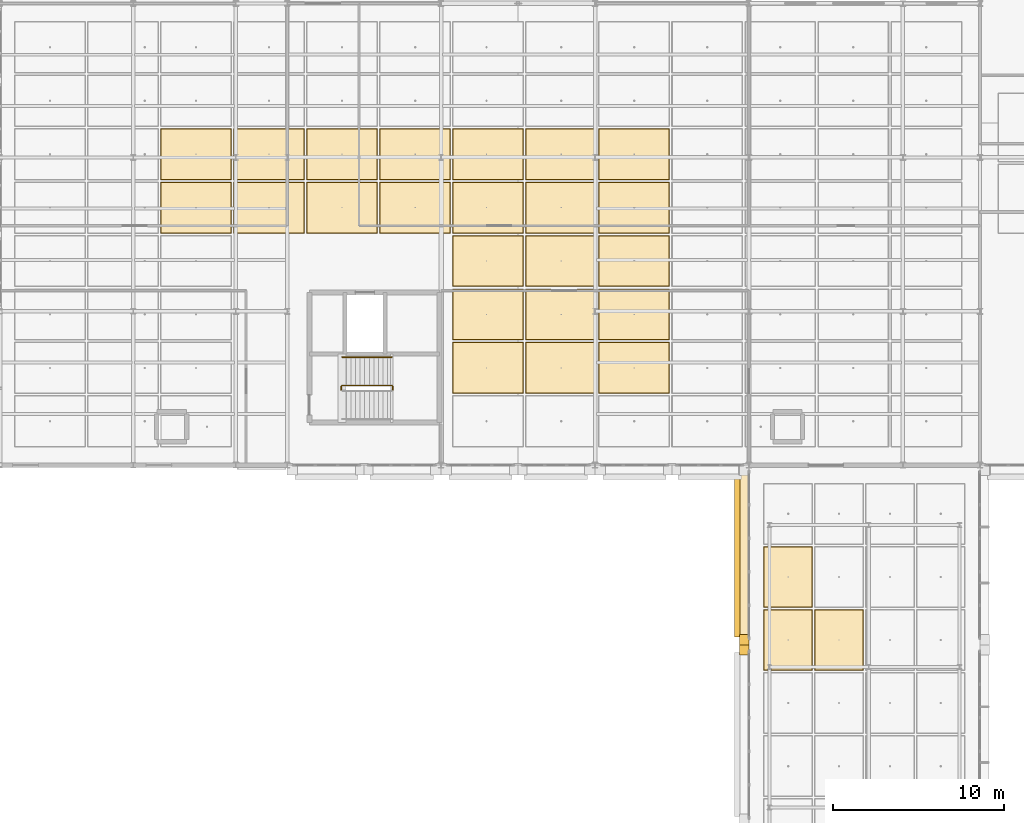
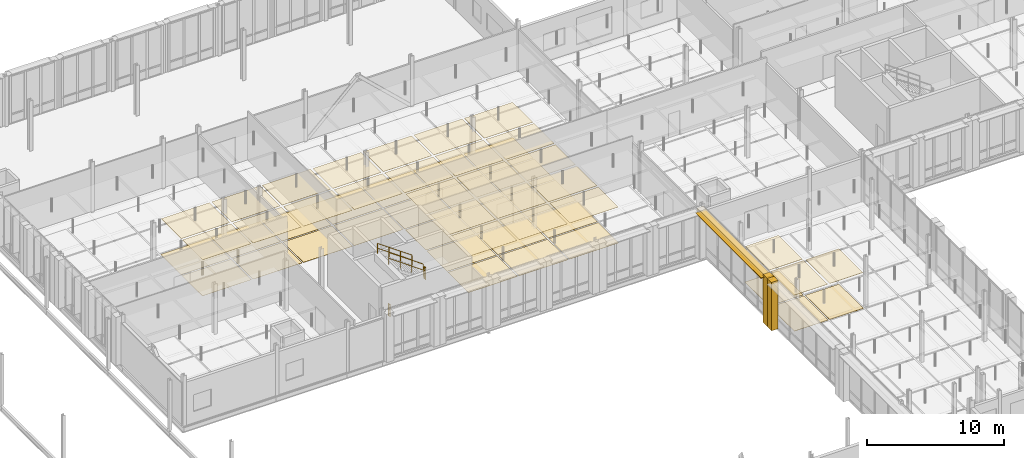
# One storey, part 124 of 130: 55 coverings, 4 railings, 1 shading device.
"""IFC4 building model written with IfcOpenShell, lengths in metres."""

from ifc_helpers import new_model, si_unit, direction, frame, origin, origin_2d, place, context, subcontext, project, spatial, rectangle, circle, extrude, material, layer, layer_set, type_object, element, save


model = new_model("IFC4")

# Units and contexts
model_context = context("Model", 3, precision=1e-05, world=origin(), true_north=direction((0.0, 1.0)))
body_context = subcontext(model_context, "Body", "Model", "MODEL_VIEW")
ifc_project = project(units=[si_unit("LENGTHUNIT", "METRE"), si_unit("AREAUNIT", "SQUARE_METRE"), si_unit("VOLUMEUNIT", "CUBIC_METRE"), si_unit("PLANEANGLEUNIT", "RADIAN"), si_unit("MASSUNIT", "GRAM", prefix="KILO"), si_unit("THERMODYNAMICTEMPERATUREUNIT", "KELVIN"), si_unit("POWERUNIT", "WATT")], contexts=[model_context])

# Site, building, storey
site_placement = place(None, origin())
site = spatial("IfcSite", under=ifc_project, at=site_placement, CompositionType="ELEMENT")
building_placement = place(site_placement, origin())
building = spatial("IfcBuilding", under=site, at=building_placement, Name="Tallowbark Science Centre", CompositionType="ELEMENT")
storey_placement = place(building_placement, frame((0.0, 0.0, 5.39990234375)))
storey = spatial("IfcBuildingStorey", under=building, at=storey_placement, Name="L01", CompositionType="ELEMENT", Elevation=5.39990234375)

# Coverings
ifc_material_1 = material(Name="Cleanable Vinyl-Faced Laboratory Ceiling Tile")
ifc_layer_1 = layer(ifc_material_1, 0.01611328125)
ifc_layer_set_1 = layer_set([ifc_layer_1], Name="Cleanable Vinyl-Faced Laboratory Ceiling Tile")
covering_type_1 = type_object("IfcCoveringType", Name="CLG-LAB-16", PredefinedType="CEILING", material=ifc_layer_set_1)
for number, where, z_axis, x_axis, name in (
    (1, (66.673095703125, 87.0625, 3.192138671875), (0.0, 0.0, 1.0), (1.0, 0.0, 0.0), "Suspended Ceiling L01-615"),
    (2, (66.673095703125, 90.1875, 3.192138671875), (0.0, 0.0, 1.0), (1.0, 0.0, 0.0), "Suspended Ceiling L01-616"),
    (3, (70.9423828125, 87.0625, 3.192138671875), (0.0, 0.0, 1.0), (1.0, 0.0, 0.0), "Suspended Ceiling L01-619"),
    (4, (70.9423828125, 90.1875, 3.192138671875), (0.0, 0.0, 1.0), (1.0, 0.0, 0.0), "Suspended Ceiling L01-620"),
    (5, (75.21142578125, 87.0625, 3.192138671875), (0.0, 0.0, 1.0), (1.0, 0.0, 0.0), "Suspended Ceiling L01-623"),
    (6, (75.21142578125, 90.1875, 3.192138671875), (0.0, 0.0, 1.0), (1.0, 0.0, 0.0), "Suspended Ceiling L01-624"),
    (7, (79.480712890625, 87.0625, 3.192138671875), (0.0, 0.0, 1.0), (1.0, 0.0, 0.0), "Suspended Ceiling L01-627"),
    (8, (79.480712890625, 90.1875, 3.192138671875), (0.0, 0.0, 1.0), (1.0, 0.0, 0.0), "Suspended Ceiling L01-628"),
    (9, (83.75, 77.6875, 3.192138671875), (0.0, 0.0, 1.0), (1.0, 0.0, 0.0), "Suspended Ceiling L01-632"),
    (10, (83.75, 80.8125, 3.192138671875), (0.0, 0.0, 1.0), (1.0, 0.0, 0.0), "Suspended Ceiling L01-633"),
    (11, (83.75, 83.9375, 3.192138671875), (0.0, 0.0, 1.0), (1.0, 0.0, 0.0), "Suspended Ceiling L01-634"),
    (12, (83.75, 87.0625, 3.192138671875), (0.0, 0.0, 1.0), (1.0, 0.0, 0.0), "Suspended Ceiling L01-635"),
    (13, (83.75, 90.1875, 3.192138671875), (0.0, 0.0, 1.0), (1.0, 0.0, 0.0), "Suspended Ceiling L01-636"),
    (14, (88.019287109375, 77.6875, 3.192138671875), (0.0, 0.0, 1.0), (1.0, 0.0, 0.0), "Suspended Ceiling L01-640"),
    (15, (88.019287109375, 80.8125, 3.192138671875), (0.0, 0.0, 1.0), (1.0, 0.0, 0.0), "Suspended Ceiling L01-641"),
    (16, (88.019287109375, 83.9375, 3.192138671875), (0.0, 0.0, 1.0), (1.0, 0.0, 0.0), "Suspended Ceiling L01-642"),
    (17, (88.019287109375, 87.0625, 3.192138671875), (0.0, 0.0, 1.0), (1.0, 0.0, 0.0), "Suspended Ceiling L01-643"),
    (18, (88.019287109375, 90.1875, 3.192138671875), (0.0, 0.0, 1.0), (1.0, 0.0, 0.0), "Suspended Ceiling L01-644"),
    (19, (92.28857421875, 77.6875, 3.192138671875), (0.0, 0.0, 1.0), (1.0, 0.0, 0.0), "Suspended Ceiling L01-648"),
    (20, (92.28857421875, 80.8125, 3.192138671875), (0.0, 0.0, 1.0), (1.0, 0.0, 0.0), "Suspended Ceiling L01-649"),
    (21, (92.28857421875, 83.9375, 3.192138671875), (0.0, 0.0, 1.0), (1.0, 0.0, 0.0), "Suspended Ceiling L01-650"),
    (22, (92.28857421875, 87.0625, 3.192138671875), (0.0, 0.0, 1.0), (1.0, 0.0, 0.0), "Suspended Ceiling L01-651"),
    (23, (92.28857421875, 90.1875, 3.192138671875), (0.0, 0.0, 1.0), (1.0, 0.0, 0.0), "Suspended Ceiling L01-652"),
):
    element("IfcCovering", number, at=place(storey_placement, frame(where, z_axis=z_axis, x_axis=x_axis)), inside=storey, type_object=covering_type_1, Name=name, PredefinedType="CEILING", context=body_context, shape_type="SweptSolid", body=[
        extrude(rectangle(XDim=4.089111328125, YDim=2.945068359375, at=origin_2d()), origin(), (0.0, 0.0, 1.0), 0.01611328125),
    ])
ifc_material_2 = material(Name="Perforated Spotted Gum Acoustic Baffle Ceiling", Category="wood")
ifc_layer_2 = layer(ifc_material_2, 0.02490234375)
ifc_layer_set_2 = layer_set([ifc_layer_2], Name="Perforated Spotted Gum Acoustic Baffle Ceiling")
covering_type_2 = type_object("IfcCoveringType", Name="CLG-TIM-25", PredefinedType="CEILING", material=ifc_layer_set_2)
for number, where, z_axis, x_axis, name in (
    (24, (101.28759765625, 61.78125, 3.187744140625), (0.0, 0.0, 1.0), (1.0, 0.0, 0.0), "Suspended Ceiling L01-568"),
    (25, (101.28759765625, 65.46875, 3.187744140625), (0.0, 0.0, 1.0), (1.0, 0.0, 0.0), "Suspended Ceiling L01-569"),
    (26, (104.262451171875, 61.78125, 3.187744140625), (0.0, 0.0, 1.0), (1.0, 0.0, 0.0), "Suspended Ceiling L01-576"),
):
    element("IfcCovering", number, at=place(storey_placement, frame(where, z_axis=z_axis, x_axis=x_axis)), inside=storey, type_object=covering_type_2, Name=name, PredefinedType="CEILING", context=body_context, shape_type="SweptSolid", body=[
        extrude(rectangle(XDim=2.794921875, YDim=3.507568359375, at=origin_2d()), origin(), (0.0, 0.0, 1.0), 0.02490234375),
    ])
ifc_material_3 = material(Name="White Architectural Precast Concrete Grade N40 (40 MPa)", Category="concrete")
ifc_layer_3 = layer(ifc_material_3, 0.1201171875)
ifc_layer_set_3 = layer_set([ifc_layer_3], Name="White Architectural Precast Concrete Grade N40 (40 MPa)")
covering_type_3 = type_object("IfcCoveringType", Name="COV-PRC-CLAD", PredefinedType="CLADDING", material=ifc_layer_set_3)
for number, where, z_axis, x_axis, name in (
    (27, (98.719970703125, 61.195068359375, 0.0), (0.0, 0.0, 1.0), (0.0, -1.0, 0.0), "Postmodern Deep Precast Pier CW-L01-012-1"),
    (28, (98.719970703125, 61.804931640625, 0.0), (0.0, 0.0, 1.0), (0.0, -1.0, 0.0), "Postmodern Deep Precast Pier CW-L01-014-2"),
):
    element("IfcCovering", number, at=place(storey_placement, frame(where, z_axis=z_axis, x_axis=x_axis)), inside=storey, type_object=covering_type_3, Name=name, PredefinedType="CLADDING", context=body_context, shape_type="SweptSolid", body=[
        extrude(rectangle(XDim=0.610107421875, YDim=0.56005859375, at=origin_2d()), origin(), (0.0, 0.0, 1.0), 4.320068359375),
    ])
ifc_material_4 = material(Name="Vitrified Ochre Terracotta Architectural Rainscreen", Category="masonry")
ifc_layer_4 = layer(ifc_material_4, 0.0380859375)
ifc_layer_set_4 = layer_set([ifc_layer_4], Name="Vitrified Ochre Terracotta Architectural Rainscreen")
covering_type_4 = type_object("IfcCoveringType", Name="COV-TER-CLAD", PredefinedType="CLADDING", material=ifc_layer_set_4)
covering_placement = place(storey_placement, frame((98.739990234375, 66.75, 3.97021484375), z_axis=(0.0, 0.0, 1.0), x_axis=(0.0, -1.0, 0.0)))
element("IfcCovering", 29, at=covering_placement, inside=storey, type_object=covering_type_4, Name="Postmodern Terracotta Cornice Band CW-L01-014", PredefinedType="CLADDING", context=body_context, shape_type="SweptSolid", body=[
    extrude(rectangle(XDim=10.199951171875, YDim=0.52001953125, at=origin_2d()), origin(), (0.0, 0.0, 1.0), 0.340087890625),
])
ifc_material_5 = material(Name="Polished Recycled-Glass Terrazzo Foyer Flooring", Category="glass")
ifc_layer_5 = layer(ifc_material_5, 0.02001953125)
ifc_layer_set_5 = layer_set([ifc_layer_5], Name="Polished Recycled-Glass Terrazzo Foyer Flooring")
covering_type_5 = type_object("IfcCoveringType", Name="FLR-TER-20", PredefinedType="FLOORING", material=ifc_layer_set_5)
for number, where, z_axis, x_axis, name in (
    (30, (101.28759765625, 61.78125, 0.0), (0.0, 0.0, 1.0), (1.0, 0.0, 0.0), "Floor Finish L01-568"),
    (31, (101.28759765625, 65.46875, 0.0), (0.0, 0.0, 1.0), (1.0, 0.0, 0.0), "Floor Finish L01-569"),
    (32, (104.262451171875, 61.78125, 0.0), (0.0, 0.0, 1.0), (1.0, 0.0, 0.0), "Floor Finish L01-576"),
):
    element("IfcCovering", number, at=place(storey_placement, frame(where, z_axis=z_axis, x_axis=x_axis)), inside=storey, type_object=covering_type_5, Name=name, PredefinedType="FLOORING", context=body_context, shape_type="SweptSolid", body=[
        extrude(rectangle(XDim=2.85498046875, YDim=3.5673828125, at=origin_2d()), origin(), (0.0, 0.0, 1.0), 0.02001953125),
    ])
ifc_material_6 = material(Name="Chemical-Resistant Seamless Laboratory Vinyl")
ifc_layer_6 = layer(ifc_material_6, 0.011962890625)
ifc_layer_set_6 = layer_set([ifc_layer_6], Name="Chemical-Resistant Seamless Laboratory Vinyl")
covering_type_6 = type_object("IfcCoveringType", Name="FLR-VIN-12", PredefinedType="FLOORING", material=ifc_layer_set_6)
for number, where, z_axis, x_axis, name in (
    (33, (66.673095703125, 87.0625, 0.0), (0.0, 0.0, 1.0), (1.0, 0.0, 0.0), "Floor Finish L01-615"),
    (34, (66.673095703125, 90.1875, 0.0), (0.0, 0.0, 1.0), (1.0, 0.0, 0.0), "Floor Finish L01-616"),
    (35, (70.9423828125, 87.0625, 0.0), (0.0, 0.0, 1.0), (1.0, 0.0, 0.0), "Floor Finish L01-619"),
    (36, (70.9423828125, 90.1875, 0.0), (0.0, 0.0, 1.0), (1.0, 0.0, 0.0), "Floor Finish L01-620"),
    (37, (75.21142578125, 87.0625, 0.0), (0.0, 0.0, 1.0), (1.0, 0.0, 0.0), "Floor Finish L01-623"),
    (38, (75.21142578125, 90.1875, 0.0), (0.0, 0.0, 1.0), (1.0, 0.0, 0.0), "Floor Finish L01-624"),
    (39, (79.480712890625, 87.0625, 0.0), (0.0, 0.0, 1.0), (1.0, 0.0, 0.0), "Floor Finish L01-627"),
    (40, (79.480712890625, 90.1875, 0.0), (0.0, 0.0, 1.0), (1.0, 0.0, 0.0), "Floor Finish L01-628"),
    (41, (83.75, 77.6875, 0.0), (0.0, 0.0, 1.0), (1.0, 0.0, 0.0), "Floor Finish L01-632"),
    (42, (83.75, 80.8125, 0.0), (0.0, 0.0, 1.0), (1.0, 0.0, 0.0), "Floor Finish L01-633"),
    (43, (83.75, 83.9375, 0.0), (0.0, 0.0, 1.0), (1.0, 0.0, 0.0), "Floor Finish L01-634"),
    (44, (83.75, 87.0625, 0.0), (0.0, 0.0, 1.0), (1.0, 0.0, 0.0), "Floor Finish L01-635"),
    (45, (83.75, 90.1875, 0.0), (0.0, 0.0, 1.0), (1.0, 0.0, 0.0), "Floor Finish L01-636"),
    (46, (88.019287109375, 77.6875, 0.0), (0.0, 0.0, 1.0), (1.0, 0.0, 0.0), "Floor Finish L01-640"),
    (47, (88.019287109375, 80.8125, 0.0), (0.0, 0.0, 1.0), (1.0, 0.0, 0.0), "Floor Finish L01-641"),
    (48, (88.019287109375, 83.9375, 0.0), (0.0, 0.0, 1.0), (1.0, 0.0, 0.0), "Floor Finish L01-642"),
    (49, (88.019287109375, 87.0625, 0.0), (0.0, 0.0, 1.0), (1.0, 0.0, 0.0), "Floor Finish L01-643"),
    (50, (88.019287109375, 90.1875, 0.0), (0.0, 0.0, 1.0), (1.0, 0.0, 0.0), "Floor Finish L01-644"),
    (51, (92.28857421875, 77.6875, 0.0), (0.0, 0.0, 1.0), (1.0, 0.0, 0.0), "Floor Finish L01-648"),
    (52, (92.28857421875, 80.8125, 0.0), (0.0, 0.0, 1.0), (1.0, 0.0, 0.0), "Floor Finish L01-649"),
    (53, (92.28857421875, 83.9375, 0.0), (0.0, 0.0, 1.0), (1.0, 0.0, 0.0), "Floor Finish L01-650"),
    (54, (92.28857421875, 87.0625, 0.0), (0.0, 0.0, 1.0), (1.0, 0.0, 0.0), "Floor Finish L01-651"),
    (55, (92.28857421875, 90.1875, 0.0), (0.0, 0.0, 1.0), (1.0, 0.0, 0.0), "Floor Finish L01-652"),
):
    element("IfcCovering", number, at=place(storey_placement, frame(where, z_axis=z_axis, x_axis=x_axis)), inside=storey, type_object=covering_type_6, Name=name, PredefinedType="FLOORING", context=body_context, shape_type="SweptSolid", body=[
        extrude(rectangle(XDim=4.149169921875, YDim=3.0048828125, at=origin_2d()), origin(), (0.0, 0.0, 1.0), 0.011962890625),
    ])

# Railings
ifc_material_7 = material(Name="Galvanised Painted Steel and Laminated Glass Balustrade", Category="steel")
ifc_layer_7 = layer(ifc_material_7, 0.070068359375)
ifc_layer_set_7 = layer_set([ifc_layer_7], Name="Galvanised Painted Steel and Laminated Glass Balustrade")
railing_type_1 = type_object("IfcRailingType", Name="RLG-BAL-1150", PredefinedType="BALUSTRADE", material=ifc_layer_set_7)
railing_1_placement = place(storey_placement, frame((78.175048828125, 76.409912109375, 2.25)))
element("IfcRailing", 56, at=railing_1_placement, inside=storey, type_object=railing_type_1, Name="L01 ST-01 stair guard 2", PredefinedType="BALUSTRADE", context=body_context, shape_type="SweptSolid", body=[
    extrude(circle(Radius=0.02392578125, at=origin_2d()), frame((0.0, 0.0, 1.076171875), z_axis=(0.0, 1.0, 0.0), x_axis=(-1.0, 0.0, 0.0)), (0.0, 0.0, 1.0), 0.2001953125),
    extrude(circle(Radius=0.02392578125, at=origin_2d()), frame((0.0, 0.0, 0.550048828125), z_axis=(0.0, 1.0, 0.0), x_axis=(-1.0, 0.0, 0.0)), (0.0, 0.0, 1.0), 0.2001953125),
    extrude(circle(Radius=0.02099609375, at=origin_2d()), origin(), (0.0, 0.0, 1.0), 1.052001953125),
    extrude(circle(Radius=0.02099609375, at=origin_2d()), frame((0.0, 0.2001953125, 0.0)), (0.0, 0.0, 1.0), 1.052001953125),
])
railing_2_placement = place(storey_placement, frame((78.125, 76.659912109375, 2.4375)))
element("IfcRailing", 57, at=railing_2_placement, inside=storey, type_object=railing_type_1, Name="L01 ST-01 stair guard 3", PredefinedType="BALUSTRADE", context=body_context, shape_type="SweptSolid", body=[
    extrude(circle(Radius=0.02392578125, at=origin_2d()), frame((0.0, 0.0, 1.076171875), z_axis=(-0.816330724661, 0.0, 0.577584753931), x_axis=(0.0, -1.0, 0.0)), (0.0, 0.0, 1.0), 3.57080078125),
    extrude(circle(Radius=0.02392578125, at=origin_2d()), frame((0.0, 0.0, 0.550048828125), z_axis=(-0.816330724661, 0.0, 0.577584753931), x_axis=(0.0, -1.0, 0.0)), (0.0, 0.0, 1.0), 3.57080078125),
    extrude(circle(Radius=0.02099609375, at=origin_2d()), origin(), (0.0, 0.0, 1.0), 1.052001953125),
    extrude(circle(Radius=0.02099609375, at=origin_2d()), frame((-0.9716796875, 0.0, 0.6875)), (0.0, 0.0, 1.0), 1.052001953125),
    extrude(circle(Radius=0.02099609375, at=origin_2d()), frame((-1.943359375, 0.0, 1.375)), (0.0, 0.0, 1.0), 1.052001953125),
    extrude(circle(Radius=0.02099609375, at=origin_2d()), frame((-2.9150390625, 0.0, 2.0625)), (0.0, 0.0, 1.0), 1.052001953125),
])
railing_3_placement = place(storey_placement, frame((75.159912109375, 76.409912109375, 0.0)))
element("IfcRailing", 58, at=railing_3_placement, inside=storey, type_object=railing_type_1, Name="L01 ST-01 stair guard 4", PredefinedType="BALUSTRADE", context=body_context, shape_type="SweptSolid", body=[
    extrude(circle(Radius=0.02392578125, at=origin_2d()), frame((0.0, 0.0, 1.076171875), z_axis=(0.0, 1.0, 0.0), x_axis=(-1.0, 0.0, 0.0)), (0.0, 0.0, 1.0), 0.2001953125),
    extrude(circle(Radius=0.02392578125, at=origin_2d()), frame((0.0, 0.0, 0.550048828125), z_axis=(0.0, 1.0, 0.0), x_axis=(-1.0, 0.0, 0.0)), (0.0, 0.0, 1.0), 0.2001953125),
    extrude(circle(Radius=0.02099609375, at=origin_2d()), origin(), (0.0, 0.0, 1.0), 1.052001953125),
    extrude(circle(Radius=0.02099609375, at=origin_2d()), frame((0.0, 0.2001953125, 0.0)), (0.0, 0.0, 1.0), 1.052001953125),
])
ifc_material_8 = material(Name="Brushed Grade 316 Stainless Steel Handrail", Category="steel")
ifc_layer_8 = layer(ifc_material_8, 0.050048828125)
ifc_layer_set_8 = layer_set([ifc_layer_8], Name="Brushed Grade 316 Stainless Steel Handrail")
railing_type_2 = type_object("IfcRailingType", Name="RLG-HDR-950", PredefinedType="HANDRAIL", material=ifc_layer_set_8)
railing_4_placement = place(storey_placement, frame((78.125, 78.320068359375, 2.4375)))
element("IfcRailing", 59, at=railing_4_placement, inside=storey, type_object=railing_type_2, Name="L01 ST-01 stair handrail 2", PredefinedType="HANDRAIL", context=body_context, shape_type="SweptSolid", body=[
    extrude(circle(Radius=0.02392578125, at=origin_2d()), frame((0.0, 0.0, 0.8759765625), z_axis=(-0.816330724661, 0.0, 0.577584753931), x_axis=(0.0, -1.0, 0.0)), (0.0, 0.0, 1.0), 3.57080078125),
    extrude(circle(Radius=0.02392578125, at=origin_2d()), frame((0.0, 0.0, 0.449951171875), z_axis=(-0.816330724661, 0.0, 0.577584753931), x_axis=(0.0, -1.0, 0.0)), (0.0, 0.0, 1.0), 3.57080078125),
    extrude(circle(Radius=0.02099609375, at=origin_2d()), origin(), (0.0, 0.0, 1.0), 0.851806640625),
    extrude(circle(Radius=0.02099609375, at=origin_2d()), frame((-0.9716796875, 0.0, 0.6875)), (0.0, 0.0, 1.0), 0.851806640625),
    extrude(circle(Radius=0.02099609375, at=origin_2d()), frame((-1.943359375, 0.0, 1.375)), (0.0, 0.0, 1.0), 0.851806640625),
    extrude(circle(Radius=0.02099609375, at=origin_2d()), frame((-2.9150390625, 0.0, 2.0625)), (0.0, 0.0, 1.0), 0.851806640625),
])

# Shading device
ifc_material_9 = material(Name="Terracotta-Anodised Extruded Aluminium Sunshade Blade", Category="masonry")
ifc_layer_9 = layer(ifc_material_9, 0.054931640625)
ifc_layer_set_9 = layer_set([ifc_layer_9], Name="Terracotta-Anodised Extruded Aluminium Sunshade Blade")
shading_device_type = type_object("IfcShadingDeviceType", Name="SHD-LVR-300", PredefinedType="AWNING", material=ifc_layer_set_9)
shading_device_placement = place(storey_placement, frame((98.580078125, 66.75, 4.1328125), z_axis=(0.0, 0.0, 1.0), x_axis=(0.0, -1.0, 0.0)))
element("IfcShadingDevice", 60, at=shading_device_placement, inside=storey, type_object=shading_device_type, Name="Horizontal Solar Louvre Hood CW-L01-014", PredefinedType="AWNING", context=body_context, shape_type="SweptSolid", body=[
    extrude(rectangle(XDim=9.60009765625, YDim=0.840087890625, at=origin_2d()), origin(), (0.0, 0.0, 1.0), 0.054931640625),
])

save(model, "model.ifc")
